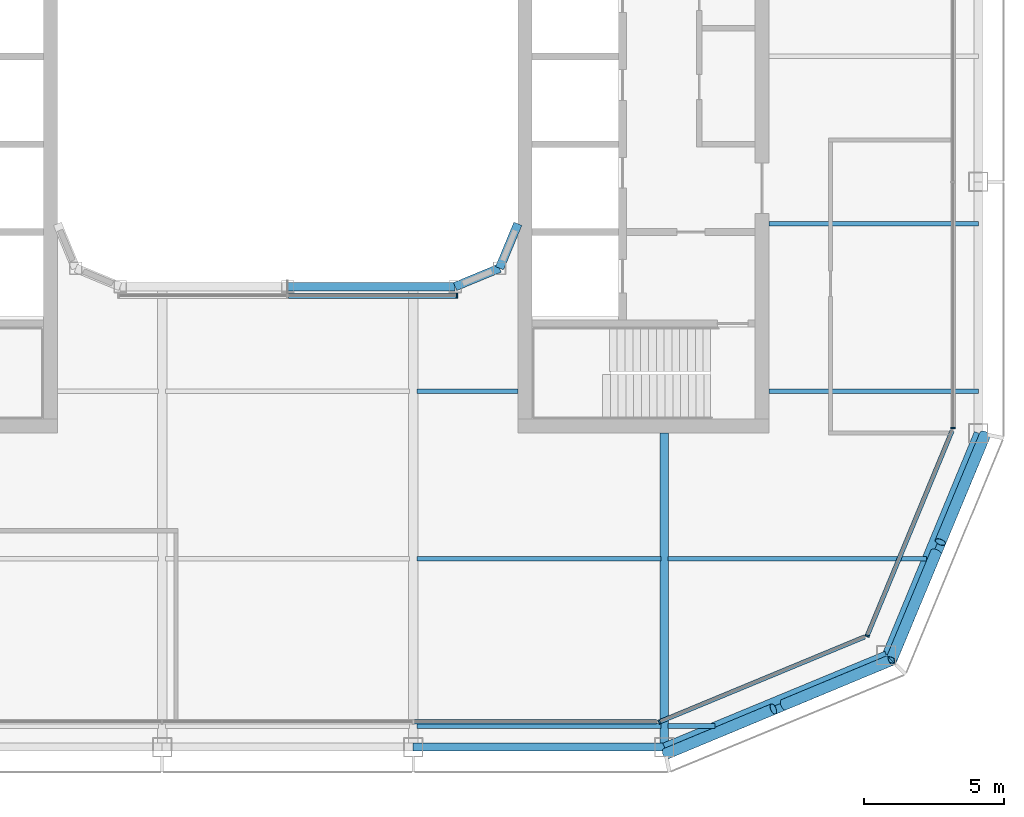
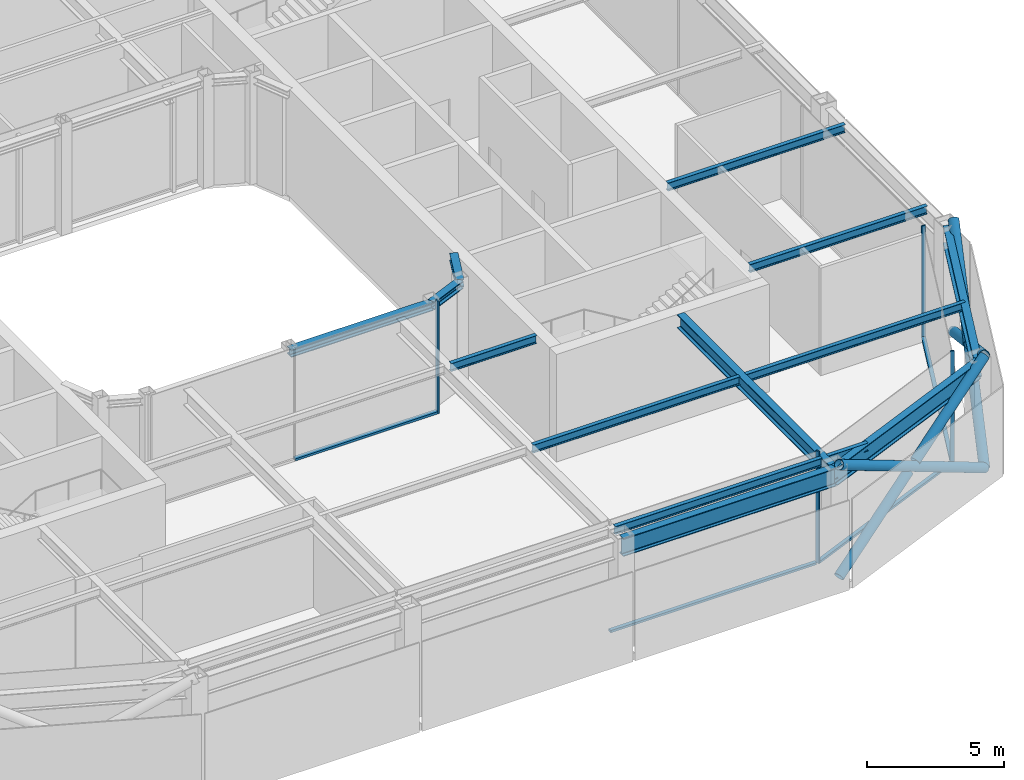
# One storey, part 5 of 17: 14 beams, 14 members, 5 elements without a shape of their own.
"""IFC4 building model written with IfcOpenShell, lengths in metres."""

from ifc_helpers import new_model, si_unit, direction, frame, origin, origin_2d, place, context, subcontext, project, spatial, rectangle, hollow_circle, i_section, extrude, material, layer, layer_set, material_profile, profile_set, type_object, element, aggregate, save


model = new_model("IFC4")

# Units and contexts
model_context = context("Model", 3, precision=1e-05, world=origin(), true_north=direction((0.0, 1.0)))
body_context = subcontext(model_context, "Body", "Model", "MODEL_VIEW")
ifc_project = project(units=[si_unit("LENGTHUNIT", "METRE"), si_unit("AREAUNIT", "SQUARE_METRE"), si_unit("VOLUMEUNIT", "CUBIC_METRE"), si_unit("PLANEANGLEUNIT", "RADIAN"), si_unit("MASSUNIT", "GRAM", prefix="KILO")], contexts=[model_context])

# Site, building, storey
site_placement = place(None, origin())
site = spatial("IfcSite", under=ifc_project, at=site_placement, CompositionType="ELEMENT")
building_placement = place(site_placement, origin())
building = spatial("IfcBuilding", under=site, at=building_placement, Name="Siwar Civic Tower", CompositionType="ELEMENT")
storey_placement = place(building_placement, frame((0.0, 0.0, 353.199951171875)))
storey = spatial("IfcBuildingStorey", under=building, at=storey_placement, Name="L76", CompositionType="ELEMENT", Elevation=353.199951171875)

# Curtain wall, member
ifc_material_1 = material(Name="Aluminium clad insulated panel", Category="aluminium")
ifc_layer_1 = layer(ifc_material_1, 0.159912109375)
ifc_layer_set_1 = layer_set([ifc_layer_1], Name="Aluminium clad insulated panel")
curtain_wall_type_1 = type_object("IfcCurtainWallType", Name="ENV-CW-DX", PredefinedType="NOTDEFINED", material=ifc_layer_set_1)
curtain_wall_1_placement = place(storey_placement, origin())
curtain_wall_1 = element("IfcCurtainWall", 1, at=curtain_wall_1_placement, inside=storey, type_object=curtain_wall_type_1, Name="Curtain wall D SE1", PredefinedType="NOTDEFINED")
ifc_material_2 = material(Name="Aluminium 6063-T6", Category="aluminium")
ifc_material_profile_1 = material_profile(ifc_material_2, rectangle(XDim=0.159912109375, YDim=0.06005859375, at=origin_2d()), Name="AL 160x60")
ifc_profile_set_1 = profile_set([ifc_material_profile_1], Name="Aluminium 6063-T6")
member_type_1 = type_object("IfcMemberType", Name="ENV-MULLION-D", PredefinedType="MULLION", material=ifc_profile_set_1)
member_1_placement = place(storey_placement, frame((13.321044921875, -23.85009765625, 0.0), z_axis=(0.0, 0.0, 1.0), x_axis=(-0.382683432365, 0.923879532511, 0.0)))
member_1 = element("IfcMember", 2, at=member_1_placement, type_object=member_type_1, Name="Mullion D SE1 1", PredefinedType="MULLION", context=body_context, shape_type="SweptSolid", body=[
    extrude(rectangle(XDim=0.159912109375, YDim=0.06005859375, at=origin_2d()), origin(), (0.0, 0.0, 1.0), 5.0),
])

curtain_wall_2_placement = place(storey_placement, origin())
curtain_wall_2 = element("IfcCurtainWall", 3, at=curtain_wall_2_placement, inside=storey, type_object=curtain_wall_type_1, Name="Curtain wall D SE2", PredefinedType="NOTDEFINED")
member_2_placement = place(storey_placement, frame((20.76611328125, -20.76611328125, 0.0), z_axis=(0.0, 0.0, 1.0), x_axis=(-0.923879532511, 0.382683432365, 0.0)))
member_2 = element("IfcMember", 4, at=member_2_placement, type_object=member_type_1, Name="Mullion D SE2 1", PredefinedType="MULLION", context=body_context, shape_type="SweptSolid", body=[
    extrude(rectangle(XDim=0.159912109375, YDim=0.06005859375, at=origin_2d()), origin(), (0.0, 0.0, 1.0), 5.0),
])

ifc_material_3 = material(Name="Aluminium and glass", Category="aluminium")
ifc_layer_2 = layer(ifc_material_3, 0.159912109375)
ifc_layer_set_2 = layer_set([ifc_layer_2], Name="Aluminium and glass")
curtain_wall_type_2 = type_object("IfcCurtainWallType", Name="ENV-CW-D", PredefinedType="NOTDEFINED", material=ifc_layer_set_2)
curtain_wall_3_placement = place(storey_placement, origin())
curtain_wall_3 = element("IfcCurtainWall", 5, at=curtain_wall_3_placement, inside=storey, type_object=curtain_wall_type_2, Name="Curtain wall D E", PredefinedType="NOTDEFINED")
member_3_placement = place(storey_placement, frame((23.85009765625, -13.321044921875, 0.0), z_axis=(0.0, 0.0, 1.0), x_axis=(-1.0, 0.0, 0.0)))
member_3 = element("IfcMember", 6, at=member_3_placement, type_object=member_type_1, Name="Mullion D E 1", PredefinedType="MULLION", context=body_context, shape_type="SweptSolid", body=[
    extrude(rectangle(XDim=0.159912109375, YDim=0.06005859375, at=origin_2d()), origin(), (0.0, 0.0, 1.0), 5.0),
])
aggregate(curtain_wall_3, [member_3])

ifc_material_4 = material(Name="Aluminium and glass", Category="aluminium")
ifc_layer_3 = layer(ifc_material_4, 0.179931640625)
ifc_layer_set_3 = layer_set([ifc_layer_3], Name="Aluminium and glass")
curtain_wall_type_3 = type_object("IfcCurtainWallType", Name="ENV-CW-W", PredefinedType="NOTDEFINED", material=ifc_layer_set_3)
curtain_wall_4_placement = place(storey_placement, origin())
curtain_wall_4 = element("IfcCurtainWall", 7, at=curtain_wall_4_placement, inside=storey, type_object=curtain_wall_type_3, Name="Curtain wall W WS", PredefinedType="NOTDEFINED")
ifc_material_5 = material(Name="Aluminium 6063-T6", Category="aluminium")
ifc_material_profile_2 = material_profile(ifc_material_5, rectangle(XDim=0.179931640625, YDim=0.06005859375, at=origin_2d()), Name="AL 180x60")
ifc_profile_set_2 = profile_set([ifc_material_profile_2], Name="Aluminium 6063-T6")
member_type_2 = type_object("IfcMemberType", Name="ENV-MULLION-W", PredefinedType="MULLION", material=ifc_profile_set_2)
member_4_placement = place(storey_placement, frame((6.066650390625, -8.5849609375, 0.0), z_axis=(0.0, 0.0, 1.0), x_axis=(0.0, 1.0, 0.0)))
member_4 = element("IfcMember", 8, at=member_4_placement, type_object=member_type_2, Name="Mullion W WS 3", PredefinedType="MULLION", context=body_context, shape_type="SweptSolid", body=[
    extrude(rectangle(XDim=0.179931640625, YDim=0.06005859375, at=origin_2d()), origin(), (0.0, 0.0, 1.0), 5.0),
])

curtain_wall_5_placement = place(storey_placement, origin())
curtain_wall_5 = element("IfcCurtainWall", 9, at=curtain_wall_5_placement, inside=storey, type_object=curtain_wall_type_2, Name="Curtain wall D S", PredefinedType="NOTDEFINED")
ifc_material_6 = material(Name="Aluminium 6063-T6", Category="aluminium")
ifc_material_profile_3 = material_profile(ifc_material_6, rectangle(XDim=0.159912109375, YDim=0.10009765625, at=origin_2d()), Name="AL 160x100")
ifc_profile_set_3 = profile_set([ifc_material_profile_3], Name="Aluminium 6063-T6")
member_type_3 = type_object("IfcMemberType", Name="ENV-TRANSOM-D", PredefinedType="USERDEFINED", material=ifc_profile_set_3)
member_5_placement = place(storey_placement, frame((4.530029296875, -23.85009765625, 0.050048828125), z_axis=(1.0, 0.0, 0.0), x_axis=(0.0, 1.0, 0.0)))
member_5 = element("IfcMember", 10, at=member_5_placement, type_object=member_type_3, Name="Transom D S 3", ObjectType="TRANSOM", PredefinedType="USERDEFINED", context=body_context, shape_type="SweptSolid", body=[
    extrude(rectangle(XDim=0.159912109375, YDim=0.10009765625, at=origin_2d()), origin(), (0.0, 0.0, 1.0), 8.693115234375),
])
aggregate(curtain_wall_5, [member_5])

# Member
member_6_placement = place(storey_placement, frame((13.3486328125, -23.838623046875, 0.050048828125), z_axis=(0.923872756612, 0.382699790424, 0.0), x_axis=(-0.382699790424, 0.923872756612, 0.0)))
member_6 = element("IfcMember", 11, at=member_6_placement, type_object=member_type_3, Name="Transom D SE1 1", ObjectType="TRANSOM", PredefinedType="USERDEFINED", context=body_context, shape_type="SweptSolid", body=[
    extrude(rectangle(XDim=0.159912109375, YDim=0.10009765625, at=origin_2d()), origin(), (0.0, 0.0, 1.0), 7.930908203125),
])

aggregate(curtain_wall_1, [member_1, member_6])

member_7_placement = place(storey_placement, frame((20.777587890625, -20.738525390625, 0.050048828125), z_axis=(0.382673515031, 0.923883640343, 0.0), x_axis=(-0.923883640343, 0.382673515031, 0.0)))
member_7 = element("IfcMember", 12, at=member_7_placement, type_object=member_type_3, Name="Transom D SE2 1", ObjectType="TRANSOM", PredefinedType="USERDEFINED", context=body_context, shape_type="SweptSolid", body=[
    extrude(rectangle(XDim=0.159912109375, YDim=0.10009765625, at=origin_2d()), origin(), (0.0, 0.0, 1.0), 7.930908203125),
])

aggregate(curtain_wall_2, [member_2, member_7])

ifc_material_7 = material(Name="Aluminium 6063-T6", Category="aluminium")
ifc_material_profile_4 = material_profile(ifc_material_7, rectangle(XDim=0.179931640625, YDim=0.10009765625, at=origin_2d()), Name="AL 180x100")
ifc_profile_set_4 = profile_set([ifc_material_profile_4], Name="Aluminium 6063-T6")
member_type_4 = type_object("IfcMemberType", Name="ENV-TRANSOM-W", PredefinedType="USERDEFINED", material=ifc_profile_set_4)
member_8_placement = place(storey_placement, frame((0.030029296875, -8.5849609375, 0.050048828125), z_axis=(1.0, 0.0, 0.0), x_axis=(0.0, 1.0, 0.0)))
member_8 = element("IfcMember", 13, at=member_8_placement, type_object=member_type_4, Name="Transom W WS 2", ObjectType="TRANSOM", PredefinedType="USERDEFINED", context=body_context, shape_type="SweptSolid", body=[
    extrude(rectangle(XDim=0.179931640625, YDim=0.10009765625, at=origin_2d()), origin(), (0.0, 0.0, 1.0), 6.006591796875),
])

aggregate(curtain_wall_4, [member_4, member_8])

# Members
ifc_material_8 = material(Name="Steel S355", Category="steel")
ifc_material_profile_5 = material_profile(ifc_material_8, hollow_circle(Radius=0.203125, WallThickness=0.01611328125, at=origin_2d()), Name="CHS406.4x16")
ifc_profile_set_5 = profile_set([ifc_material_profile_5], Name="Steel S355")
member_type_5 = type_object("IfcMemberType", Name="STR-BR-CHS406.4x16", PredefinedType="BRACE", material=ifc_profile_set_5)
member_9_placement = place(storey_placement, frame((21.6318359375, -21.6318359375, 0.0), z_axis=(0.333592743807, 0.801726811989, 0.495933463499), x_axis=(-0.923264922524, 0.384163874976, 0.0)))
element("IfcMember", 14, at=member_9_placement, inside=storey, type_object=member_type_5, Name="L76/brc/DSE1-15-0-1", PredefinedType="BRACE", context=body_context, shape_type="SweptSolid", body=[
    extrude(hollow_circle(Radius=0.203125, WallThickness=0.01611328125, at=origin_2d()), origin(), (0.0, 0.0, 1.0), 10.08203125),
])
for number, where, z_axis, x_axis, name in (
    (15, (24.9951171875, -13.548828125, 0.0), (-0.333625253508, -0.80170559549, 0.495945892595), (0.923248036946, -0.384204453742, 0.0), "L76/brc/DSE1-15-0-2"),
    (16, (23.236328125, -17.775390625, 2.614501953125), (-0.333566570839, -0.801737302644, 0.495934108897), (0.923277395422, -0.384133897361, 0.0), "L76/brc/DSE1-15-0-3"),
):
    element("IfcMember", number, at=place(storey_placement, frame(where, z_axis=z_axis, x_axis=x_axis)), inside=storey, type_object=member_type_5, Name=name, PredefinedType="BRACE", context=body_context, shape_type="SweptSolid", body=[
        extrude(hollow_circle(Radius=0.203125, WallThickness=0.01611328125, at=origin_2d()), origin(), (0.0, 0.0, 1.0), 4.81005859375),
    ])
member_10_placement = place(storey_placement, frame((21.6318359375, -21.6318359375, 0.0), z_axis=(-0.801726811989, -0.333592743807, 0.495933463499), x_axis=(0.384163874976, -0.923264922524, 0.0)))
element("IfcMember", 17, at=member_10_placement, inside=storey, type_object=member_type_5, Name="L76/brc/DSE1-15-0-0", PredefinedType="BRACE", context=body_context, shape_type="SweptSolid", body=[
    extrude(hollow_circle(Radius=0.203125, WallThickness=0.01611328125, at=origin_2d()), origin(), (0.0, 0.0, 1.0), 10.08203125),
])
for number, where, z_axis, x_axis, name in (
    (18, (13.548828125, -24.9951171875, 0.0), (0.80170559549, 0.333625253508, 0.495945892595), (-0.384204453742, 0.923248036946, 0.0), "L76/brc/DSE1-15-0-4"),
    (19, (17.775390625, -23.236328125, 2.614501953125), (0.801737302644, 0.333566570839, 0.495934108897), (-0.384133897361, 0.923277395422, 0.0), "L76/brc/DSE1-15-0-5"),
):
    element("IfcMember", number, at=place(storey_placement, frame(where, z_axis=z_axis, x_axis=x_axis)), inside=storey, type_object=member_type_5, Name=name, PredefinedType="BRACE", context=body_context, shape_type="SweptSolid", body=[
        extrude(hollow_circle(Radius=0.203125, WallThickness=0.01611328125, at=origin_2d()), origin(), (0.0, 0.0, 1.0), 4.81005859375),
    ])

# Beams
ifc_material_9 = material(Name="Steel S355", Category="steel")
ifc_material_profile_6 = material_profile(ifc_material_9, i_section(OverallWidth=0.169921875, OverallDepth=0.360107421875, WebThickness=0.008056640625, FlangeThickness=0.0126953125, FilletRadius=0.01806640625, at=origin_2d()), Name="IPE360")
ifc_profile_set_6 = profile_set([ifc_material_profile_6], Name="Steel S355")
beam_type_1 = type_object("IfcBeamType", Name="STR-FB-IPE360", PredefinedType="JOIST", material=ifc_profile_set_6)
beam_1_placement = place(storey_placement, frame((4.6298828125, -24.0, 4.6201171875), z_axis=(1.0, 0.0, 0.0), x_axis=(0.0, 1.0, 0.0)))
element("IfcBeam", 20, at=beam_1_placement, inside=storey, type_object=beam_type_1, Name="L76/bm/F004", PredefinedType="JOIST", context=body_context, shape_type="SweptSolid", body=[
    extrude(i_section(OverallWidth=0.169921875, OverallDepth=0.360107421875, WebThickness=0.008056640625, FlangeThickness=0.0126953125, FilletRadius=0.01806640625, at=origin_2d()), origin(), (0.0, 0.0, 1.0), 8.740234375),
])
beam_2_placement = place(storey_placement, frame((13.6298828125, -24.0, 4.6201171875), z_axis=(1.0, 0.0, 0.0), x_axis=(0.0, 1.0, 0.0)))
element("IfcBeam", 21, at=beam_2_placement, inside=storey, type_object=beam_type_1, Name="L76/bm/F005", PredefinedType="JOIST", context=body_context, shape_type="SweptSolid", body=[
    extrude(i_section(OverallWidth=0.169921875, OverallDepth=0.360107421875, WebThickness=0.008056640625, FlangeThickness=0.0126953125, FilletRadius=0.01806640625, at=origin_2d()), origin(), (0.0, 0.0, 1.0), 1.6806640625),
])
beam_3_placement = place(storey_placement, frame((4.6298828125, -18.0, 4.6201171875), z_axis=(1.0, 0.0, 0.0), x_axis=(0.0, 1.0, 0.0)))
element("IfcBeam", 22, at=beam_3_placement, inside=storey, type_object=beam_type_1, Name="L76/bm/F009", PredefinedType="JOIST", context=body_context, shape_type="SweptSolid", body=[
    extrude(i_section(OverallWidth=0.169921875, OverallDepth=0.360107421875, WebThickness=0.008056640625, FlangeThickness=0.0126953125, FilletRadius=0.01806640625, at=origin_2d()), origin(), (0.0, 0.0, 1.0), 8.740234375),
])
beam_4_placement = place(storey_placement, frame((13.6298828125, -18.0, 4.6201171875), z_axis=(1.0, 0.0, 0.0), x_axis=(0.0, 1.0, 0.0)))
element("IfcBeam", 23, at=beam_4_placement, inside=storey, type_object=beam_type_1, Name="L76/bm/F010", PredefinedType="JOIST", context=body_context, shape_type="SweptSolid", body=[
    extrude(i_section(OverallWidth=0.169921875, OverallDepth=0.360107421875, WebThickness=0.008056640625, FlangeThickness=0.0126953125, FilletRadius=0.01806640625, at=origin_2d()), origin(), (0.0, 0.0, 1.0), 9.256103515625),
])
beam_5_placement = place(storey_placement, frame((4.6298828125, -12.0, 4.6201171875), z_axis=(1.0, 0.0, 0.0), x_axis=(0.0, 1.0, 0.0)))
element("IfcBeam", 24, at=beam_5_placement, inside=storey, type_object=beam_type_1, Name="L76/bm/F014", PredefinedType="JOIST", context=body_context, shape_type="SweptSolid", body=[
    extrude(i_section(OverallWidth=0.169921875, OverallDepth=0.360107421875, WebThickness=0.008056640625, FlangeThickness=0.0126953125, FilletRadius=0.01806640625, at=origin_2d()), origin(), (0.0, 0.0, 1.0), 3.6201171875),
])
for number, where, z_axis, x_axis, name in (
    (25, (17.25, -12.0, 4.6201171875), (1.0, 0.0, 0.0), (0.0, 1.0, 0.0), "L76/bm/F015"),
    (26, (17.25, -6.0, 4.6201171875), (1.0, 0.0, 0.0), (0.0, 1.0, 0.0), "L76/bm/F017"),
):
    element("IfcBeam", number, at=place(storey_placement, frame(where, z_axis=z_axis, x_axis=x_axis)), inside=storey, type_object=beam_type_1, Name=name, PredefinedType="JOIST", context=body_context, shape_type="SweptSolid", body=[
        extrude(i_section(OverallWidth=0.169921875, OverallDepth=0.360107421875, WebThickness=0.008056640625, FlangeThickness=0.0126953125, FilletRadius=0.01806640625, at=origin_2d()), origin(), (0.0, 0.0, 1.0), 7.5),
    ])
ifc_material_10 = material(Name="Steel S355", Category="steel")
ifc_material_profile_7 = material_profile(ifc_material_10, i_section(OverallWidth=0.300048828125, OverallDepth=0.60009765625, WebThickness=0.015380859375, FlangeThickness=0.030029296875, FilletRadius=0.027099609375, at=origin_2d()), Name="HEB600")
ifc_profile_set_7 = profile_set([ifc_material_profile_7], Name="Steel S355")
beam_type_2 = type_object("IfcBeamType", Name="STR-PG-HEB600", PredefinedType="BEAM", material=ifc_profile_set_7)
beam_6_placement = place(storey_placement, frame((13.5, -24.75, 4.5), z_axis=(0.0, 1.0, 0.0), x_axis=(-1.0, 0.0, 0.0)))
element("IfcBeam", 27, at=beam_6_placement, inside=storey, type_object=beam_type_2, Name="L76/bm/G07", PredefinedType="BEAM", context=body_context, shape_type="SweptSolid", body=[
    extrude(i_section(OverallWidth=0.300048828125, OverallDepth=0.60009765625, WebThickness=0.015380859375, FlangeThickness=0.030029296875, FilletRadius=0.027099609375, at=origin_2d()), origin(), (0.0, 0.0, 1.0), 11.25),
])
ifc_material_11 = material(Name="Steel S355", Category="steel")
ifc_material_profile_8 = material_profile(ifc_material_11, i_section(OverallWidth=0.31005859375, OverallDepth=0.340087890625, WebThickness=0.02099609375, FlangeThickness=0.0390625, FilletRadius=0.027099609375, at=origin_2d()), Name="HEM300")
ifc_profile_set_8 = profile_set([ifc_material_profile_8], Name="Steel S355")
beam_type_3 = type_object("IfcBeamType", Name="STR-RB-HEM300", PredefinedType="BEAM", material=ifc_profile_set_8)
beam_7_placement = place(storey_placement, frame((0.0, -8.25, 4.630126953125), z_axis=(1.0, 0.0, 0.0), x_axis=(0.0, 1.0, 0.0)))
element("IfcBeam", 28, at=beam_7_placement, inside=storey, type_object=beam_type_3, Name="L76/bm/RS2", PredefinedType="BEAM", context=body_context, shape_type="SweptSolid", body=[
    extrude(i_section(OverallWidth=0.31005859375, OverallDepth=0.340087890625, WebThickness=0.02099609375, FlangeThickness=0.0390625, FilletRadius=0.027099609375, at=origin_2d()), origin(), (0.0, 0.0, 1.0), 6.0),
])
for number, where, z_axis, x_axis, name in (
    (29, (6.0, -8.25, 4.630126953125), (0.923901072997, 0.382631424892, 0.0), (-0.382631424892, 0.923901072997, 0.0), "L76/bm/RS3"),
    (30, (7.591064453125, -7.591064453125, 4.630126953125), (0.382631424892, 0.923901072997, 0.0), (-0.923901072997, 0.382631424892, 0.0), "L76/bm/RSEE"),
):
    element("IfcBeam", number, at=place(storey_placement, frame(where, z_axis=z_axis, x_axis=x_axis)), inside=storey, type_object=beam_type_3, Name=name, PredefinedType="BEAM", context=body_context, shape_type="SweptSolid", body=[
        extrude(i_section(OverallWidth=0.31005859375, OverallDepth=0.340087890625, WebThickness=0.02099609375, FlangeThickness=0.0390625, FilletRadius=0.027099609375, at=origin_2d()), origin(), (0.0, 0.0, 1.0), 1.72216796875),
    ])
ifc_material_12 = material(Name="Steel S355", Category="steel")
ifc_material_profile_9 = material_profile(ifc_material_12, i_section(OverallWidth=0.300048828125, OverallDepth=0.800048828125, WebThickness=0.017578125, FlangeThickness=0.032958984375, FilletRadius=0.030029296875, at=origin_2d()), Name="HEB800")
ifc_profile_set_9 = profile_set([ifc_material_profile_9], Name="Steel S355")
beam_type_4 = type_object("IfcBeamType", Name="STR-SB-HEB800", PredefinedType="BEAM", material=ifc_profile_set_9)
beam_8_placement = place(storey_placement, frame((4.5, -24.75, 4.400146484375), z_axis=(1.0, 0.0, 0.0), x_axis=(0.0, 1.0, 0.0)))
element("IfcBeam", 31, at=beam_8_placement, inside=storey, type_object=beam_type_4, Name="L76/bm/SS-2", PredefinedType="BEAM", context=body_context, shape_type="SweptSolid", body=[
    extrude(i_section(OverallWidth=0.300048828125, OverallDepth=0.800048828125, WebThickness=0.017578125, FlangeThickness=0.032958984375, FilletRadius=0.030029296875, at=origin_2d()), origin(), (0.0, 0.0, 1.0), 9.0),
])
for number, where, z_axis, x_axis, name in (
    (32, (13.5, -24.75, 4.400146484375), (0.923872720536, 0.382699877515, 0.0), (-0.382699877515, 0.923872720536, 0.0), "L76/bm/SSE1-0"),
    (33, (21.454833984375, -21.454833984375, 4.400146484375), (0.382699877515, 0.923872720536, 0.0), (-0.923872720536, 0.382699877515, 0.0), "L76/bm/SSE2-0"),
):
    element("IfcBeam", number, at=place(storey_placement, frame(where, z_axis=z_axis, x_axis=x_axis)), inside=storey, type_object=beam_type_4, Name=name, PredefinedType="BEAM", context=body_context, shape_type="SweptSolid", body=[
        extrude(i_section(OverallWidth=0.300048828125, OverallDepth=0.800048828125, WebThickness=0.017578125, FlangeThickness=0.032958984375, FilletRadius=0.030029296875, at=origin_2d()), origin(), (0.0, 0.0, 1.0), 8.6103515625),
    ])

save(model, "model.ifc")
